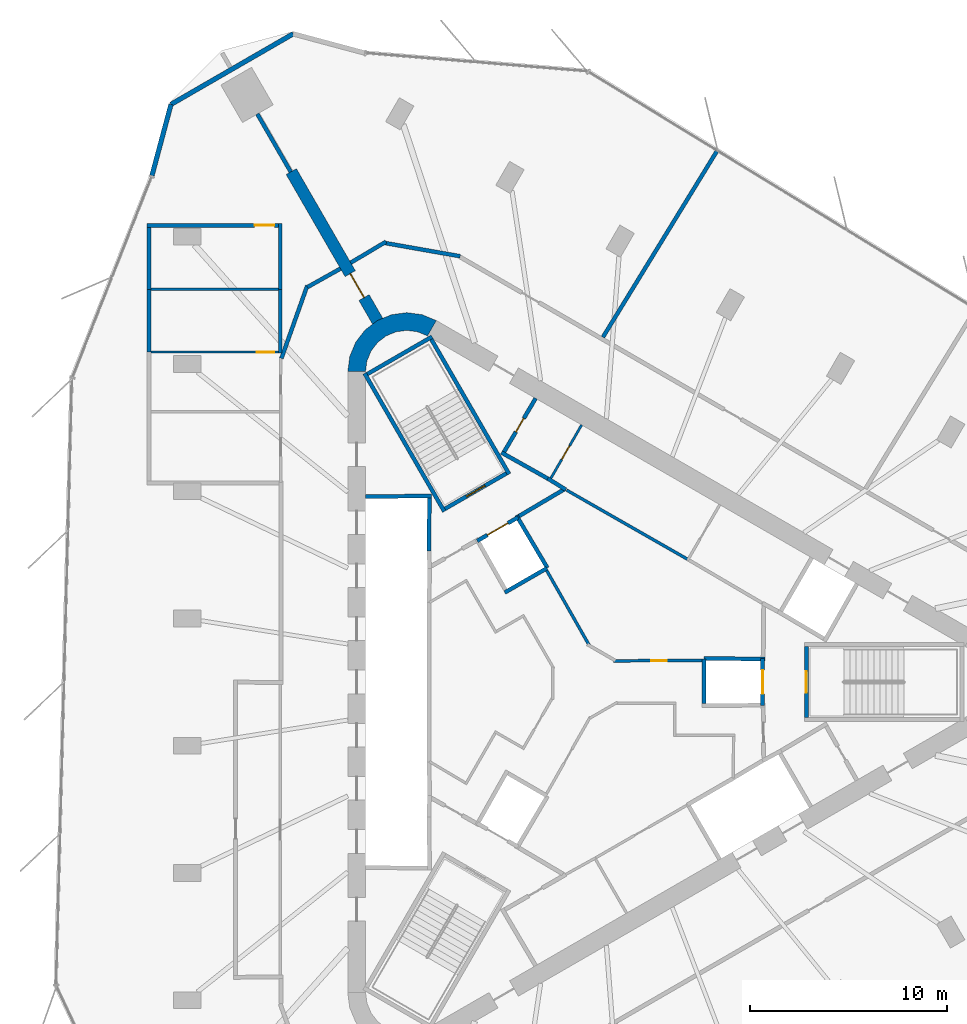
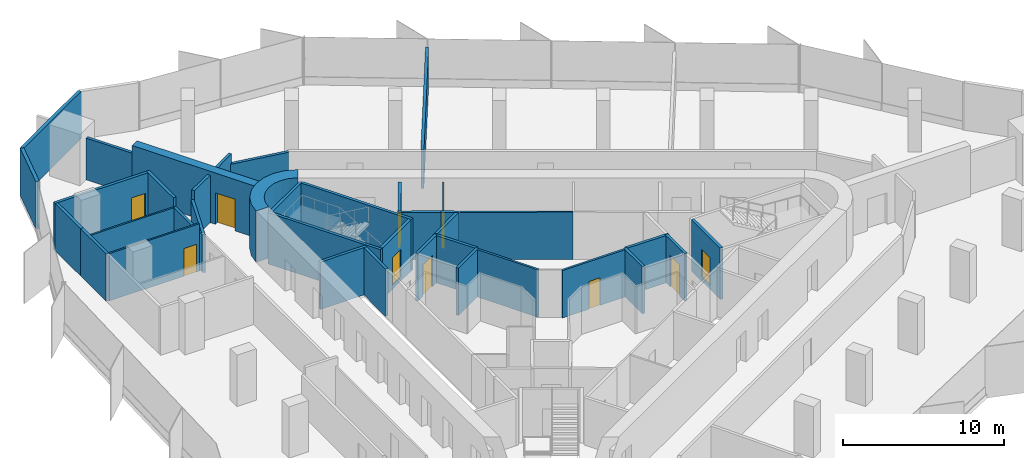
# One storey, part 10 of 13: 38 walls, 10 doors, 10 openings.
"""IFC4 building model written with IfcOpenShell, lengths in metres."""

from ifc_helpers import new_model, si_unit, direction, frame, frame_2d, origin, place, context, subcontext, project, spatial, polyline, rectangle, outline, extrude, material, layer, layer_set, type_object, element, fill, save


model = new_model("IFC4")

# Units and contexts
model_context = context("Model", 3, precision=1e-05, world=origin(), true_north=direction((0.0, 1.0)))
body_context = subcontext(model_context, "Body", "Model", "MODEL_VIEW")
ifc_project = project(units=[si_unit("LENGTHUNIT", "METRE"), si_unit("AREAUNIT", "SQUARE_METRE"), si_unit("VOLUMEUNIT", "CUBIC_METRE"), si_unit("PLANEANGLEUNIT", "RADIAN"), si_unit("MASSUNIT", "GRAM", prefix="KILO")], contexts=[model_context])

# Site, building, storey
site_placement = place(None, origin())
site = spatial("IfcSite", under=ifc_project, at=site_placement, CompositionType="ELEMENT")
building_placement = place(site_placement, origin())
building = spatial("IfcBuilding", under=site, at=building_placement, Name="Tanit Gate Tower", CompositionType="ELEMENT")
storey_placement = place(building_placement, frame((0.0, 0.0, 329.89990234375)))
storey = spatial("IfcBuildingStorey", under=building, at=storey_placement, Name="L74", CompositionType="ELEMENT", Elevation=329.89990234375)

# Wall, opening, door
ifc_material_1 = material(Name="Concrete C40/50", Category="concrete")
ifc_layer_1 = layer(ifc_material_1, 0.60009765625)
ifc_layer_set_1 = layer_set([ifc_layer_1], Name="BUTTRESS FIN 600 C40/50")
wall_type_1 = type_object("IfcWallType", Name="BUTTRESS FIN 600 C40/50", PredefinedType="SHEAR", material=ifc_layer_set_1)
wall_1_placement = place(storey_placement, frame((-10.574951171875, 18.31640625, 0.0), z_axis=(0.0, 0.0, 1.0), x_axis=(-0.499987805019, 0.866032444446, 0.0)))
wall_1 = element("IfcWall", 1, at=wall_1_placement, inside=storey, type_object=wall_type_1, Name="BUTTRESS FIN", PredefinedType="SHEAR", context=body_context, shape_type="SweptSolid", body=[
    extrude(rectangle(XDim=8.787353515625, YDim=0.60009765625, at=frame_2d((4.3935546875, 0.0))), origin(), (0.0, 0.0, 1.0), 3.900146484375),
])
opening_1_placement = place(wall_1_placement, frame((1.39990234375, 0.0, 0.0)))
opening_1 = element("IfcOpeningElement", 2, at=opening_1_placement, cuts=wall_1, Name="Opening P14-S20-F-NW-1", PredefinedType="OPENING", context=body_context, shape_type="SweptSolid", body=[
    extrude(rectangle(XDim=1.39990234375, YDim=2.39990234375, at=frame_2d((0.699951171875, 1.199951171875))), frame((0.0, 0.31005859375, 0.0), z_axis=(0.0, -1.0, 0.0), x_axis=(1.0, 0.0, 0.0)), (0.0, 0.0, 1.0), 0.6201171875),
])
ifc_material_2 = material(Name="Timber door leaf", Category="wood")
door_type_1 = type_object("IfcDoorType", Name="INT-DOOR-FIN-PAIR-1400", OperationType="NOTDEFINED", PredefinedType="NOTDEFINED", material=ifc_material_2)
door_1_placement = place(opening_1_placement, origin())
door_1 = element("IfcDoor", 3, at=door_1_placement, inside=storey, type_object=door_type_1, Name="Door P14-S20-F-NW-1", OperationType="DOUBLE_DOOR_SINGLE_SWING", OverallHeight=2.39990234375, OverallWidth=1.39990234375, PredefinedType="NOTDEFINED", context=body_context, shape_type="SweptSolid", body=[
    extrude(rectangle(XDim=1.39990234375, YDim=2.39990234375, at=frame_2d((0.699951171875, 1.199951171875))), frame((0.0, 0.02490234375, 0.0), z_axis=(0.0, -1.0, 0.0), x_axis=(1.0, 0.0, 0.0)), (0.0, 0.0, 1.0), 0.050048828125),
])
fill(opening_1, door_1)

# Walls
ifc_material_3 = material(Name="Concrete C40/50", Category="concrete")
ifc_layer_2 = layer(ifc_material_3, 0.89990234375)
ifc_layer_set_2 = layer_set([ifc_layer_2], Name="CORE WALL 900 C40/50")
wall_type_2 = type_object("IfcWallType", Name="CORE WALL 900 C40/50", PredefinedType="SHEAR", material=ifc_layer_set_2)
wall_2_placement = place(storey_placement, origin())
element("IfcWall", 4, at=wall_2_placement, inside=storey, type_object=wall_type_2, Name="CORE WALL CORNER", PredefinedType="SHEAR", context=body_context, shape_type="SweptSolid", body=[
    extrude(outline(polyline([(-7.60009765625, 18.359619140625), (-8.323486328125, 18.659423828125), (-9.10009765625, 18.76171875), (-9.87646484375, 18.659423828125), (-10.60009765625, 18.359619140625), (-11.22119140625, 17.883056640625), (-11.697998046875, 17.26171875), (-11.997802734375, 16.5380859375), (-12.10009765625, 15.76171875), (-11.199951171875, 15.76171875), (-11.12841796875, 16.30517578125), (-10.918701171875, 16.811767578125), (-10.5849609375, 17.24658203125), (-10.14990234375, 17.580322265625), (-9.6435546875, 17.7900390625), (-9.10009765625, 17.86181640625), (-8.556396484375, 17.7900390625), (-8.050048828125, 17.580322265625), (-7.60009765625, 18.359619140625)])), origin(), (0.0, 0.0, 1.0), 3.900146484375),
])
ifc_material_4 = material(Name="Concrete C30/37 with bronze anodised aluminium cladding", Category="concrete")
ifc_layer_3 = layer(ifc_material_4, 0.239990234375)
ifc_layer_set_3 = layer_set([ifc_layer_3], Name="Facade wall bronze clad 240")
wall_type_3 = type_object("IfcWallType", Name="Facade wall bronze clad 240", PredefinedType="SOLIDWALL", material=ifc_layer_set_3)
wall_3_placement = place(storey_placement, frame((-14.871337890625, 32.926025390625, 0.0), z_axis=(0.0, 0.0, 1.0), x_axis=(-0.866029611329, -0.499992712247, 0.0)))
element("IfcWall", 5, at=wall_3_placement, inside=storey, type_object=wall_type_3, Name="Bronze-clad facade wall L74 NW.arc2", PredefinedType="SOLIDWALL", context=body_context, shape_type="SweptSolid", body=[
    extrude(rectangle(XDim=7.16796875, YDim=0.239990234375, at=frame_2d((3.583984375, 0.0))), origin(), (0.0, 0.0, 1.0), 3.60009765625),
])
wall_4_placement = place(storey_placement, frame((-21.0791015625, 29.342041015625, 0.0), z_axis=(0.0, 0.0, 1.0), x_axis=(-0.258833727946, -0.965921891913, 0.0)))
element("IfcWall", 6, at=wall_4_placement, inside=storey, type_object=wall_type_3, Name="Bronze-clad facade wall L74 NW.arc3", PredefinedType="SOLIDWALL", context=body_context, shape_type="SweptSolid", body=[
    extrude(rectangle(XDim=3.749267578125, YDim=0.239990234375, at=frame_2d((1.87451171875, 0.0))), origin(), (0.0, 0.0, 1.0), 3.60009765625),
])
ifc_material_5 = material(Name="Fire-rated gypsum board partition")
ifc_layer_4 = layer(ifc_material_5, 0.199951171875)
ifc_layer_set_4 = layer_set([ifc_layer_4], Name="INT-WALL-COMPARTMENT")
wall_type_4 = type_object("IfcWallType", Name="INT-WALL-COMPARTMENT", PredefinedType="PARTITIONING", material=ifc_layer_set_4)
wall_5_placement = place(storey_placement, frame((-1.940673828125, 10.338623046875, 0.0), z_axis=(0.0, 0.0, 1.0), x_axis=(0.850216889117, -0.526432561171, 0.0)))
element("IfcWall", 7, at=wall_5_placement, inside=storey, type_object=wall_type_4, Name="Wall Compartment W048", PredefinedType="PARTITIONING", context=body_context, shape_type="SweptSolid", body=[
    extrude(rectangle(XDim=1.078369140625, YDim=0.199951171875, at=frame_2d((0.5390625, 0.0))), origin(), (0.0, 0.0, 1.0), 3.60009765625),
])
wall_6_placement = place(storey_placement, frame((-4.296142578125, 11.658935546875, 0.0), z_axis=(0.0, 0.0, 1.0), x_axis=(0.871534483978, -0.490334215854, 0.0)))
element("IfcWall", 8, at=wall_6_placement, inside=storey, type_object=wall_type_4, Name="Wall Compartment W050", PredefinedType="PARTITIONING", context=body_context, shape_type="SweptSolid", body=[
    extrude(rectangle(XDim=2.7001953125, YDim=0.199951171875, at=frame_2d((1.35009765625, 0.0))), origin(), (0.0, 0.0, 1.0), 3.60009765625),
])

# Wall, opening, door
wall_7_placement = place(storey_placement, frame((-2.557861328125, 14.409423828125, 0.0), z_axis=(0.0, 0.0, 1.0), x_axis=(-0.508018930956, -0.861345903683, 0.0)))
wall_7 = element("IfcWall", 9, at=wall_7_placement, inside=storey, type_object=wall_type_4, Name="Wall Compartment W051", PredefinedType="PARTITIONING", context=body_context, shape_type="SweptSolid", body=[
    extrude(rectangle(XDim=3.150146484375, YDim=0.199951171875, at=frame_2d((1.5751953125, 0.0))), origin(), (0.0, 0.0, 1.0), 3.60009765625),
])
opening_2_placement = place(wall_7_placement, frame((1.175048828125, 0.0, 0.0)))
opening_2 = element("IfcOpeningElement", 10, at=opening_2_placement, cuts=wall_7, Name="Opening R08-S20-14", PredefinedType="OPENING", context=body_context, shape_type="SweptSolid", body=[
    extrude(rectangle(XDim=0.800048828125, YDim=2.10009765625, at=frame_2d((0.39990234375, 1.050048828125))), frame((0.0, 0.10986328125, 0.0), z_axis=(0.0, -1.0, 0.0), x_axis=(1.0, 0.0, 0.0)), (0.0, 0.0, 1.0), 0.219970703125),
])
ifc_material_6 = material(Name="Timber door leaf", Category="wood")
door_type_2 = type_object("IfcDoorType", Name="INT-DOOR-RISER-800", OperationType="NOTDEFINED", PredefinedType="USERDEFINED", material=ifc_material_6)
door_2_placement = place(opening_2_placement, origin())
door_2 = element("IfcDoor", 11, at=door_2_placement, inside=storey, type_object=door_type_2, Name="Door R08-S20-14", ObjectType="FIRE DOOR", OperationType="SINGLE_SWING_RIGHT", OverallHeight=2.10009765625, OverallWidth=0.800048828125, PredefinedType="USERDEFINED", context=body_context, shape_type="SweptSolid", body=[
    extrude(rectangle(XDim=0.800048828125, YDim=2.10009765625, at=frame_2d((0.39990234375, 1.050048828125))), frame((0.0, 0.02490234375, 0.0), z_axis=(0.0, -1.0, 0.0), x_axis=(1.0, 0.0, 0.0)), (0.0, 0.0, 1.0), 0.050048828125),
])
fill(opening_2, door_2)

# Walls
wall_8_placement = place(storey_placement, frame((-1.0546875, 9.818359375, 0.0), z_axis=(0.0, 0.0, 1.0), x_axis=(-0.860614334655, -0.50925726994, 0.0)))
element("IfcWall", 12, at=wall_8_placement, inside=storey, type_object=wall_type_4, Name="Wall Compartment W061", PredefinedType="PARTITIONING", context=body_context, shape_type="SweptSolid", body=[
    extrude(rectangle(XDim=2.725830078125, YDim=0.199951171875, at=frame_2d((1.36279296875, 0.0))), origin(), (0.0, 0.0, 1.0), 3.60009765625),
])
wall_9_placement = place(storey_placement, frame((-14.153564453125, 20.14208984375, 0.0), z_axis=(0.0, 0.0, 1.0), x_axis=(-0.335013345564, -0.94221338257, 0.0)))
element("IfcWall", 13, at=wall_9_placement, inside=storey, type_object=wall_type_4, Name="Wall Compartment W091", PredefinedType="PARTITIONING", context=body_context, shape_type="SweptSolid", body=[
    extrude(rectangle(XDim=3.9287109375, YDim=0.199951171875, at=frame_2d((1.96435546875, 0.0))), origin(), (0.0, 0.0, 1.0), 2.880126953125),
])
wall_10_placement = place(storey_placement, frame((-12.469970703125, 20.99853515625, 0.0), z_axis=(0.0, 0.0, 1.0), x_axis=(-0.87250601595, -0.488603368932, 0.0)))
element("IfcWall", 14, at=wall_10_placement, inside=storey, type_object=wall_type_4, Name="Wall Compartment W092", PredefinedType="PARTITIONING", context=body_context, shape_type="SweptSolid", body=[
    extrude(rectangle(XDim=1.923828125, YDim=0.199951171875, at=frame_2d((0.9619140625, 0.0))), origin(), (0.0, 0.0, 1.0), 3.60009765625),
])
wall_11_placement = place(storey_placement, frame((-10.154541015625, 22.3671875, 0.0), z_axis=(0.0, 0.0, 1.0), x_axis=(-0.859343009577, -0.511399640097, 0.0)))
element("IfcWall", 15, at=wall_11_placement, inside=storey, type_object=wall_type_4, Name="Wall Compartment W095", PredefinedType="PARTITIONING", context=body_context, shape_type="SweptSolid", body=[
    extrude(rectangle(XDim=2.089599609375, YDim=0.199951171875, at=frame_2d((1.044921875, 0.0))), origin(), (0.0, 0.0, 1.0), 3.60009765625),
])
wall_12_placement = place(storey_placement, frame((-6.389404296875, 21.626220703125, 0.0), z_axis=(0.0, 0.0, 1.0), x_axis=(-0.984802578286, 0.173677522442, 0.0)))
element("IfcWall", 16, at=wall_12_placement, inside=storey, type_object=wall_type_4, Name="Wall Compartment W096", PredefinedType="PARTITIONING", context=body_context, shape_type="SweptSolid", body=[
    extrude(rectangle(XDim=3.87548828125, YDim=0.199951171875, at=frame_2d((1.937744140625, 0.0))), origin(), (0.0, 0.0, 1.0), 2.880126953125),
])
wall_13_placement = place(storey_placement, frame((-14.99462890625, 25.911376953125, 0.0), z_axis=(0.0, 0.0, 1.0), x_axis=(-0.500010627009, 0.866019268191, 0.0)))
element("IfcWall", 17, at=wall_13_placement, inside=storey, type_object=wall_type_4, Name="Wall Compartment W109", PredefinedType="PARTITIONING", context=body_context, shape_type="SweptSolid", body=[
    extrude(rectangle(XDim=3.39794921875, YDim=0.199951171875, at=frame_2d((1.698974609375, 0.0))), origin(), (0.0, 0.0, 1.0), 3.170166015625),
])
wall_14_placement = place(storey_placement, frame((-22.199951171875, 23.090087890625, 0.0), z_axis=(0.0, 0.0, 1.0), x_axis=(0.0, -1.0, 0.0)))
element("IfcWall", 18, at=wall_14_placement, inside=storey, type_object=wall_type_4, Name="Wall Compartment W119", PredefinedType="PARTITIONING", context=body_context, shape_type="SweptSolid", body=[
    extrude(rectangle(XDim=3.139892578125, YDim=0.199951171875, at=frame_2d((1.56982421875, 0.0))), origin(), (0.0, 0.0, 1.0), 3.60009765625),
])
wall_15_placement = place(storey_placement, frame((-22.199951171875, 19.9501953125, 0.0), z_axis=(0.0, 0.0, 1.0), x_axis=(0.0, -1.0, 0.0)))
element("IfcWall", 19, at=wall_15_placement, inside=storey, type_object=wall_type_4, Name="Wall Compartment W115", PredefinedType="PARTITIONING", context=body_context, shape_type="SweptSolid", body=[
    extrude(rectangle(XDim=3.1884765625, YDim=0.199951171875, at=frame_2d((1.59423828125, 0.0))), origin(), (0.0, 0.0, 1.0), 3.60009765625),
])
wall_16_placement = place(storey_placement, frame((-15.530029296875, 16.70166015625, 0.0), z_axis=(0.0, 0.0, 1.0), x_axis=(0.0, 1.0, 0.0)))
element("IfcWall", 20, at=wall_16_placement, inside=storey, type_object=wall_type_4, Name="Wall Compartment W116", PredefinedType="PARTITIONING", context=body_context, shape_type="SweptSolid", body=[
    extrude(rectangle(XDim=3.24853515625, YDim=0.199951171875, at=frame_2d((1.624267578125, 0.0))), origin(), (0.0, 0.0, 1.0), 2.880126953125),
])
wall_17_placement = place(storey_placement, frame((-15.530029296875, 19.9501953125, 0.0), z_axis=(0.0, 0.0, 1.0), x_axis=(0.0, 1.0, 0.0)))
element("IfcWall", 21, at=wall_17_placement, inside=storey, type_object=wall_type_4, Name="Wall Compartment W117", PredefinedType="PARTITIONING", context=body_context, shape_type="SweptSolid", body=[
    extrude(rectangle(XDim=3.33984375, YDim=0.199951171875, at=frame_2d((1.669921875, 0.0))), origin(), (0.0, 0.0, 1.0), 3.60009765625),
])

# Wall, opening, door
wall_18_placement = place(storey_placement, frame((-15.6298828125, 23.18994140625, 0.0), z_axis=(0.0, 0.0, 1.0), x_axis=(-1.0, 0.0, 0.0)))
wall_18 = element("IfcWall", 22, at=wall_18_placement, inside=storey, type_object=wall_type_4, Name="Wall Compartment W118", PredefinedType="PARTITIONING", context=body_context, shape_type="SweptSolid", body=[
    extrude(rectangle(XDim=6.670166015625, YDim=0.199951171875, at=frame_2d((3.3349609375, 0.0))), origin(), (0.0, 0.0, 1.0), 3.60009765625),
])
opening_3_placement = place(wall_18_placement, frame((0.199951171875, 0.0, 0.0)))
opening_3 = element("IfcOpeningElement", 23, at=opening_3_placement, cuts=wall_18, Name="Opening F10-S20-22", PredefinedType="OPENING", context=body_context, shape_type="SweptSolid", body=[
    extrude(rectangle(XDim=1.0, YDim=2.10009765625, at=frame_2d((0.5, 1.050048828125))), frame((0.0, 0.10986328125, 0.0), z_axis=(0.0, -1.0, 0.0), x_axis=(1.0, 0.0, 0.0)), (0.0, 0.0, 1.0), 0.219970703125),
])
ifc_material_7 = material(Name="Fire-rated steel door leaf", Category="steel")
door_type_3 = type_object("IfcDoorType", Name="INT-DOOR-FIRE-1000", OperationType="NOTDEFINED", PredefinedType="USERDEFINED", material=ifc_material_7)
door_3_placement = place(opening_3_placement, origin())
door_3 = element("IfcDoor", 24, at=door_3_placement, inside=storey, type_object=door_type_3, Name="Door F10-S20-22", ObjectType="FIRE DOOR", OperationType="SINGLE_SWING_LEFT", OverallHeight=2.10009765625, OverallWidth=1.0, PredefinedType="USERDEFINED", context=body_context, shape_type="SweptSolid", body=[
    extrude(rectangle(XDim=1.0, YDim=2.10009765625, at=frame_2d((0.5, 1.050048828125))), frame((0.0, 0.02490234375, 0.0), z_axis=(0.0, -1.0, 0.0), x_axis=(1.0, 0.0, 0.0)), (0.0, 0.0, 1.0), 0.050048828125),
])
fill(opening_3, door_3)

# Wall
wall_19_placement = place(storey_placement, frame((0.859619140625, 17.51708984375, 0.0), z_axis=(0.0, 0.0, 1.0), x_axis=(0.5223859344, 0.852709174069, 0.0)))
element("IfcWall", 25, at=wall_19_placement, inside=storey, type_object=wall_type_4, Name="Wall Compartment W120", PredefinedType="PARTITIONING", context=body_context, shape_type="SweptSolid", body=[
    extrude(rectangle(XDim=11.117431640625, YDim=0.199951171875, at=frame_2d((5.55859375, 0.0))), origin(), (0.0, 0.0, 1.0), 2.97021484375),
])

# Wall, opening, door
ifc_material_8 = material(Name="Gypsum board partition")
ifc_layer_5 = layer(ifc_material_8, 0.1201171875)
ifc_layer_set_5 = layer_set([ifc_layer_5], Name="INT-WALL-PARTITION")
wall_type_5 = type_object("IfcWallType", Name="INT-WALL-PARTITION", PredefinedType="PARTITIONING", material=ifc_layer_set_5)
wall_20_placement = place(storey_placement, frame((-0.2197265625, 13.0595703125, 0.0), z_axis=(0.0, 0.0, 1.0), x_axis=(-0.499984717929, -0.866034226713, 0.0)))
wall_20 = element("IfcWall", 26, at=wall_20_placement, inside=storey, type_object=wall_type_5, Name="Wall Partition W047", PredefinedType="PARTITIONING", context=body_context, shape_type="SweptSolid", body=[
    extrude(rectangle(XDim=3.25, YDim=0.1201171875, at=frame_2d((1.625, 0.0))), origin(), (0.0, 0.0, 1.0), 3.60009765625),
])
opening_4_placement = place(wall_20_placement, frame((1.22509765625, 0.0, 0.0)))
opening_4 = element("IfcOpeningElement", 27, at=opening_4_placement, cuts=wall_20, Name="Opening R08-S20-29", PredefinedType="OPENING", context=body_context, shape_type="SweptSolid", body=[
    extrude(rectangle(XDim=0.800048828125, YDim=2.10009765625, at=frame_2d((0.39990234375, 1.050048828125))), frame((0.0, 0.070068359375, 0.0), z_axis=(0.0, -1.0, 0.0), x_axis=(1.0, 0.0, 0.0)), (0.0, 0.0, 1.0), 0.14013671875),
])
door_4_placement = place(opening_4_placement, origin())
door_4 = element("IfcDoor", 28, at=door_4_placement, inside=storey, type_object=door_type_2, Name="Door R08-S20-29", ObjectType="FIRE DOOR", OperationType="SINGLE_SWING_LEFT", OverallHeight=2.10009765625, OverallWidth=0.800048828125, PredefinedType="USERDEFINED", context=body_context, shape_type="SweptSolid", body=[
    extrude(rectangle(XDim=0.800048828125, YDim=2.10009765625, at=frame_2d((0.39990234375, 1.050048828125))), frame((0.0, 0.02490234375, 0.0), z_axis=(0.0, -1.0, 0.0), x_axis=(1.0, 0.0, 0.0)), (0.0, 0.0, 1.0), 0.050048828125),
])
fill(opening_4, door_4)

wall_21_placement = place(storey_placement, frame((-22.10009765625, 16.76171875, 0.0), z_axis=(0.0, 0.0, 1.0), x_axis=(1.0, 0.0, 0.0)))
wall_21 = element("IfcWall", 29, at=wall_21_placement, inside=storey, type_object=wall_type_5, Name="Wall Partition W126", PredefinedType="PARTITIONING", context=body_context, shape_type="SweptSolid", body=[
    extrude(rectangle(XDim=6.47021484375, YDim=0.1201171875, at=frame_2d((3.235107421875, 0.0))), origin(), (0.0, 0.0, 1.0), 3.60009765625),
])
opening_5_placement = place(wall_21_placement, frame((5.3701171875, 0.0, 0.0)))
opening_5 = element("IfcOpeningElement", 30, at=opening_5_placement, cuts=wall_21, Name="Opening D09-S20-21", PredefinedType="OPENING", context=body_context, shape_type="SweptSolid", body=[
    extrude(rectangle(XDim=0.89990234375, YDim=2.10009765625, at=frame_2d((0.449951171875, 1.050048828125))), frame((0.0, 0.070068359375, 0.0), z_axis=(0.0, -1.0, 0.0), x_axis=(1.0, 0.0, 0.0)), (0.0, 0.0, 1.0), 0.14013671875),
])
ifc_material_9 = material(Name="Timber door leaf", Category="wood")
door_type_4 = type_object("IfcDoorType", Name="INT-DOOR-SINGLE-900", OperationType="NOTDEFINED", PredefinedType="NOTDEFINED", material=ifc_material_9)
door_5_placement = place(opening_5_placement, origin())
door_5 = element("IfcDoor", 31, at=door_5_placement, inside=storey, type_object=door_type_4, Name="Door D09-S20-21", OperationType="SINGLE_SWING_LEFT", OverallHeight=2.10009765625, OverallWidth=0.89990234375, PredefinedType="NOTDEFINED", context=body_context, shape_type="SweptSolid", body=[
    extrude(rectangle(XDim=0.89990234375, YDim=2.10009765625, at=frame_2d((0.449951171875, 1.050048828125))), frame((0.0, 0.02490234375, 0.0), z_axis=(0.0, -1.0, 0.0), x_axis=(1.0, 0.0, 0.0)), (0.0, 0.0, 1.0), 0.050048828125),
])
fill(opening_5, door_5)

# Walls
wall_22_placement = place(storey_placement, frame((-22.10009765625, 19.9501953125, 0.0), z_axis=(0.0, 0.0, 1.0), x_axis=(1.0, 0.0, 0.0)))
element("IfcWall", 32, at=wall_22_placement, inside=storey, type_object=wall_type_5, Name="Wall Partition W127", PredefinedType="PARTITIONING", context=body_context, shape_type="SweptSolid", body=[
    extrude(rectangle(XDim=6.47021484375, YDim=0.1201171875, at=frame_2d((3.235107421875, 0.0))), origin(), (0.0, 0.0, 1.0), 2.880126953125),
])
ifc_material_10 = material(Name="Fire-rated gypsum board partition")
ifc_layer_6 = layer(ifc_material_10, 0.14990234375)
ifc_layer_set_6 = layer_set([ifc_layer_6], Name="INT-WALL-RISER")
wall_type_6 = type_object("IfcWallType", Name="INT-WALL-RISER", PredefinedType="PLUMBINGWALL", material=ifc_layer_set_6)
wall_23_placement = place(storey_placement, frame((5.1591796875, 6.23583984375, 0.0), z_axis=(0.0, 0.0, 1.0), x_axis=(-0.868105023632, 0.496380567654, 0.0)))
element("IfcWall", 33, at=wall_23_placement, inside=storey, type_object=wall_type_6, Name="Wall Riser W049", PredefinedType="PLUMBINGWALL", context=body_context, shape_type="SweptSolid", body=[
    extrude(rectangle(XDim=7.072265625, YDim=0.14990234375, at=frame_2d((3.5361328125, 0.0))), origin(), (0.0, 0.0, 1.0), 3.60009765625),
])

# Wall, opening, door
wall_24_placement = place(storey_placement, frame((1.3876953125, 1.07421875, 0.0), z_axis=(0.0, 0.0, 1.0), x_axis=(0.99997856967, 0.006546770205, 0.0)))
wall_24 = element("IfcWall", 34, at=wall_24_placement, inside=storey, type_object=wall_type_6, Name="Wall Riser W065", PredefinedType="PLUMBINGWALL", context=body_context, shape_type="SweptSolid", body=[
    extrude(rectangle(XDim=4.51220703125, YDim=0.14990234375, at=frame_2d((2.256103515625, 0.0))), origin(), (0.0, 0.0, 1.0), 3.60009765625),
])
opening_6_placement = place(wall_24_placement, frame((1.920166015625, 0.0, 0.0)))
opening_6 = element("IfcOpeningElement", 35, at=opening_6_placement, cuts=wall_24, Name="Opening R08-S20-10", PredefinedType="OPENING", context=body_context, shape_type="SweptSolid", body=[
    extrude(rectangle(XDim=0.800048828125, YDim=2.10009765625, at=frame_2d((0.39990234375, 1.050048828125))), frame((0.0, 0.0849609375, 0.0), z_axis=(0.0, -1.0, 0.0), x_axis=(1.0, 0.0, 0.0)), (0.0, 0.0, 1.0), 0.169921875),
])
door_6_placement = place(opening_6_placement, origin())
door_6 = element("IfcDoor", 36, at=door_6_placement, inside=storey, type_object=door_type_2, Name="Door R08-S20-10", ObjectType="FIRE DOOR", OperationType="SINGLE_SWING_RIGHT", OverallHeight=2.10009765625, OverallWidth=0.800048828125, PredefinedType="USERDEFINED", context=body_context, shape_type="SweptSolid", body=[
    extrude(rectangle(XDim=0.800048828125, YDim=2.10009765625, at=frame_2d((0.39990234375, 1.050048828125))), frame((0.0, 0.02490234375, 0.0), z_axis=(0.0, -1.0, 0.0), x_axis=(1.0, 0.0, 0.0)), (0.0, 0.0, 1.0), 0.050048828125),
])
fill(opening_6, door_6)

# Walls
wall_25_placement = place(storey_placement, frame((-1.994140625, 5.661376953125, 0.0), z_axis=(0.0, 0.0, 1.0), x_axis=(0.494341211302, -0.869267948798, 0.0)))
element("IfcWall", 37, at=wall_25_placement, inside=storey, type_object=wall_type_6, Name="Wall Riser W067", PredefinedType="PLUMBINGWALL", context=body_context, shape_type="SweptSolid", body=[
    extrude(rectangle(XDim=4.36083984375, YDim=0.14990234375, at=frame_2d((2.180419921875, 0.0))), origin(), (0.0, 0.0, 1.0), 3.60009765625),
])
ifc_material_11 = material(Name="Gypsum shaft wall system")
ifc_layer_7 = layer(ifc_material_11, 0.199951171875)
ifc_layer_set_7 = layer_set([ifc_layer_7], Name="INT-WALL-SHAFT")
wall_type_7 = type_object("IfcWallType", Name="INT-WALL-SHAFT", PredefinedType="PLUMBINGWALL", material=ifc_layer_set_7)
wall_26_placement = place(storey_placement, frame((-11.199951171875, 9.419921875, 0.0), z_axis=(0.0, 0.0, 1.0), x_axis=(0.999957167047, 0.009255488683, 0.0)))
element("IfcWall", 38, at=wall_26_placement, inside=storey, type_object=wall_type_7, Name="Wall Shaft W001", PredefinedType="PLUMBINGWALL", context=body_context, shape_type="SweptSolid", body=[
    extrude(rectangle(XDim=3.35009765625, YDim=0.199951171875, at=frame_2d((1.675048828125, 0.0))), origin(), (0.0, 0.0, 1.0), 3.60009765625),
])
wall_27_placement = place(storey_placement, frame((-7.951171875, 9.35009765625, 0.0), z_axis=(0.0, 0.0, 1.0), x_axis=(-0.011120469654, -0.999938165666, 0.0)))
element("IfcWall", 39, at=wall_27_placement, inside=storey, type_object=wall_type_7, Name="Wall Shaft W002", PredefinedType="PLUMBINGWALL", context=body_context, shape_type="SweptSolid", body=[
    extrude(rectangle(XDim=2.700439453125, YDim=0.199951171875, at=frame_2d((1.35009765625, 0.0))), origin(), (0.0, 0.0, 1.0), 3.60009765625),
])

# Wall, opening, door
wall_28_placement = place(storey_placement, frame((8.969970703125, 1.199951171875, 0.0), z_axis=(0.0, 0.0, 1.0), x_axis=(0.0, -1.0, 0.0)))
wall_28 = element("IfcWall", 40, at=wall_28_placement, inside=storey, type_object=wall_type_7, Name="Wall Shaft W024", PredefinedType="PLUMBINGWALL", context=body_context, shape_type="SweptSolid", body=[
    extrude(rectangle(XDim=2.39990234375, YDim=0.199951171875, at=frame_2d((1.199951171875, 0.0))), origin(), (0.0, 0.0, 1.0), 3.60009765625),
])
opening_7_placement = place(wall_28_placement, frame((0.60009765625, 0.0, 0.0)))
opening_7 = element("IfcOpeningElement", 41, at=opening_7_placement, cuts=wall_28, Name="Opening LDFL1-L74", PredefinedType="OPENING", context=body_context, shape_type="SweptSolid", body=[
    extrude(rectangle(XDim=1.199951171875, YDim=2.39990234375, at=frame_2d((0.60009765625, 1.199951171875))), frame((0.0, 0.10986328125, 0.0), z_axis=(0.0, -1.0, 0.0), x_axis=(1.0, 0.0, 0.0)), (0.0, 0.0, 1.0), 0.219970703125),
])
ifc_material_12 = material(Name="Stainless steel sliding door leaf", Category="steel")
door_type_5 = type_object("IfcDoorType", Name="INT-DOOR-LANDING-1200", OperationType="NOTDEFINED", PredefinedType="USERDEFINED", material=ifc_material_12)
door_7_placement = place(opening_7_placement, origin())
door_7 = element("IfcDoor", 42, at=door_7_placement, inside=storey, type_object=door_type_5, Name="Door LDFL1-L74", ObjectType="LANDING DOOR", OperationType="SLIDING_TO_LEFT", OverallHeight=2.39990234375, OverallWidth=1.199951171875, PredefinedType="USERDEFINED", context=body_context, shape_type="SweptSolid", body=[
    extrude(rectangle(XDim=1.199951171875, YDim=2.39990234375, at=frame_2d((0.60009765625, 1.199951171875))), frame((0.0, 0.02490234375, 0.0), z_axis=(0.0, -1.0, 0.0), x_axis=(1.0, 0.0, 0.0)), (0.0, 0.0, 1.0), 0.050048828125),
])
fill(opening_7, door_7)

# Walls
wall_29_placement = place(storey_placement, frame((6.0, 1.199951171875, 0.0), z_axis=(0.0, 0.0, 1.0), x_axis=(0.999949988, -0.010001074852, 0.0)))
element("IfcWall", 43, at=wall_29_placement, inside=storey, type_object=wall_type_7, Name="Wall Shaft W025", PredefinedType="PLUMBINGWALL", context=body_context, shape_type="SweptSolid", body=[
    extrude(rectangle(XDim=3.100341796875, YDim=0.199951171875, at=frame_2d((1.55029296875, 0.0))), origin(), (0.0, 0.0, 1.0), 3.60009765625),
])
wall_30_placement = place(storey_placement, frame((6.0, -1.10009765625, 0.0), z_axis=(0.0, 0.0, 1.0), x_axis=(0.0, 1.0, 0.0)))
element("IfcWall", 44, at=wall_30_placement, inside=storey, type_object=wall_type_7, Name="Wall Shaft W027", PredefinedType="PLUMBINGWALL", context=body_context, shape_type="SweptSolid", body=[
    extrude(rectangle(XDim=2.279541015625, YDim=0.199951171875, at=frame_2d((1.1396484375, 0.0))), origin(), (0.0, 0.0, 1.0), 3.60009765625),
])

# Wall, opening, door
wall_31_placement = place(storey_placement, frame((-5.524169921875, 7.168212890625, 0.0), z_axis=(0.0, 0.0, 1.0), x_axis=(0.866024647952, 0.500001309137, 0.0)))
wall_31 = element("IfcWall", 45, at=wall_31_placement, inside=storey, type_object=wall_type_7, Name="Wall Shaft W032", PredefinedType="PLUMBINGWALL", context=body_context, shape_type="SweptSolid", body=[
    extrude(rectangle(XDim=2.39990234375, YDim=0.199951171875, at=frame_2d((1.199951171875, 0.0))), origin(), (0.0, 0.0, 1.0), 3.60009765625),
])
opening_8_placement = place(wall_31_placement, frame((0.60009765625, 0.0, 0.0)))
opening_8 = element("IfcOpeningElement", 46, at=opening_8_placement, cuts=wall_31, Name="Opening LDFL2-L74", PredefinedType="OPENING", context=body_context, shape_type="SweptSolid", body=[
    extrude(rectangle(XDim=1.199951171875, YDim=2.39990234375, at=frame_2d((0.60009765625, 1.199951171875))), frame((0.0, 0.10986328125, 0.0), z_axis=(0.0, -1.0, 0.0), x_axis=(1.0, 0.0, 0.0)), (0.0, 0.0, 1.0), 0.219970703125),
])
door_8_placement = place(opening_8_placement, origin())
door_8 = element("IfcDoor", 47, at=door_8_placement, inside=storey, type_object=door_type_5, Name="Door LDFL2-L74", ObjectType="LANDING DOOR", OperationType="SLIDING_TO_LEFT", OverallHeight=2.39990234375, OverallWidth=1.199951171875, PredefinedType="USERDEFINED", context=body_context, shape_type="SweptSolid", body=[
    extrude(rectangle(XDim=1.199951171875, YDim=2.39990234375, at=frame_2d((0.60009765625, 1.199951171875))), frame((0.0, 0.02490234375, 0.0), z_axis=(0.0, -1.0, 0.0), x_axis=(1.0, 0.0, 0.0)), (0.0, 0.0, 1.0), 0.050048828125),
])
fill(opening_8, door_8)

# Walls
wall_32_placement = place(storey_placement, frame((-3.53759765625, 8.46533203125, 0.0), z_axis=(0.0, 0.0, 1.0), x_axis=(0.508647062354, -0.860975125052, 0.0)))
element("IfcWall", 48, at=wall_32_placement, inside=storey, type_object=wall_type_7, Name="Wall Shaft W033", PredefinedType="PLUMBINGWALL", context=body_context, shape_type="SweptSolid", body=[
    extrude(rectangle(XDim=3.10009765625, YDim=0.199951171875, at=frame_2d((1.550048828125, 0.0))), origin(), (0.0, 0.0, 1.0), 3.60009765625),
])
wall_33_placement = place(storey_placement, frame((-1.978515625, 5.785888671875, 0.0), z_axis=(0.0, 0.0, 1.0), x_axis=(-0.866016689309, -0.500015093611, 0.0)))
element("IfcWall", 49, at=wall_33_placement, inside=storey, type_object=wall_type_7, Name="Wall Shaft W034", PredefinedType="PLUMBINGWALL", context=body_context, shape_type="SweptSolid", body=[
    extrude(rectangle(XDim=2.4794921875, YDim=0.199951171875, at=frame_2d((1.23974609375, 0.0))), origin(), (0.0, 0.0, 1.0), 3.60009765625),
])

# Wall, opening, door
ifc_material_13 = material(Name="Concrete C40/50", Category="concrete")
ifc_layer_8 = layer(ifc_material_13, 0.199951171875)
ifc_layer_set_8 = layer_set([ifc_layer_8], Name="INT-WALL-STAIR")
wall_type_8 = type_object("IfcWallType", Name="INT-WALL-STAIR", PredefinedType="SHEAR", material=ifc_layer_set_8)
wall_34_placement = place(storey_placement, frame((11.199951171875, -1.800048828125, -0.2998046875), z_axis=(0.0, 0.0, 1.0), x_axis=(0.0, 1.0, 0.0)))
wall_34 = element("IfcWall", 50, at=wall_34_placement, inside=storey, type_object=wall_type_8, Name="Wall Stair W023", PredefinedType="SHEAR", context=body_context, shape_type="SweptSolid", body=[
    extrude(rectangle(XDim=3.60009765625, YDim=0.199951171875, at=frame_2d((1.800048828125, 0.0))), origin(), (0.0, 0.0, 1.0), 3.89990234375),
])
opening_9_placement = place(wall_34_placement, frame((1.25, 0.0, 0.300048828125)))
opening_9 = element("IfcOpeningElement", 51, at=opening_9_placement, cuts=wall_34, Name="Opening S11-S20-01", PredefinedType="OPENING", context=body_context, shape_type="SweptSolid", body=[
    extrude(rectangle(XDim=1.10009765625, YDim=2.10009765625, at=frame_2d((0.550048828125, 1.050048828125))), frame((0.0, 0.10986328125, 0.0), z_axis=(0.0, -1.0, 0.0), x_axis=(1.0, 0.0, 0.0)), (0.0, 0.0, 1.0), 0.219970703125),
])
ifc_material_14 = material(Name="Timber door leaf", Category="wood")
door_type_6 = type_object("IfcDoorType", Name="INT-DOOR-STAIR-1100", OperationType="NOTDEFINED", PredefinedType="USERDEFINED", material=ifc_material_14)
door_9_placement = place(opening_9_placement, origin())
door_9 = element("IfcDoor", 52, at=door_9_placement, inside=storey, type_object=door_type_6, Name="Door S11-S20-01", ObjectType="FIRE DOOR", OperationType="SINGLE_SWING_LEFT", OverallHeight=2.10009765625, OverallWidth=1.10009765625, PredefinedType="USERDEFINED", context=body_context, shape_type="SweptSolid", body=[
    extrude(rectangle(XDim=1.10009765625, YDim=2.10009765625, at=frame_2d((0.550048828125, 1.050048828125))), frame((0.0, 0.02490234375, 0.0), z_axis=(0.0, -1.0, 0.0), x_axis=(1.0, 0.0, 0.0)), (0.0, 0.0, 1.0), 0.050048828125),
])
fill(opening_9, door_9)

# Walls
wall_35_placement = place(storey_placement, frame((-11.245361328125, 15.677734375, -0.2998046875), z_axis=(0.0, 0.0, 1.0), x_axis=(0.499977274689, -0.866038523851, 0.0)))
element("IfcWall", 53, at=wall_35_placement, inside=storey, type_object=wall_type_8, Name="Wall Stair W028", PredefinedType="SHEAR", context=body_context, shape_type="SweptSolid", body=[
    extrude(rectangle(XDim=8.10009765625, YDim=0.199951171875, at=frame_2d((4.050048828125, 0.0))), origin(), (0.0, 0.0, 1.0), 3.89990234375),
])
wall_36_placement = place(storey_placement, frame((-7.81787109375, 17.541015625, -0.2998046875), z_axis=(0.0, 0.0, 1.0), x_axis=(-0.866044365799, -0.499967155389, 0.0)))
element("IfcWall", 54, at=wall_36_placement, inside=storey, type_object=wall_type_8, Name="Wall Stair W029", PredefinedType="SHEAR", context=body_context, shape_type="SweptSolid", body=[
    extrude(rectangle(XDim=3.800048828125, YDim=0.199951171875, at=frame_2d((1.89990234375, 0.0))), origin(), (0.0, 0.0, 1.0), 3.89990234375),
])
wall_37_placement = place(storey_placement, frame((-7.8544921875, 17.404541015625, -0.2998046875), z_axis=(0.0, 0.0, 1.0), x_axis=(0.499997992926, -0.866026562566, 0.0)))
element("IfcWall", 55, at=wall_37_placement, inside=storey, type_object=wall_type_8, Name="Wall Stair W030", PredefinedType="SHEAR", context=body_context, shape_type="SweptSolid", body=[
    extrude(rectangle(XDim=7.89990234375, YDim=0.199951171875, at=frame_2d((3.949951171875, 0.0))), origin(), (0.0, 0.0, 1.0), 3.89990234375),
])

# Wall, opening, door
wall_38_placement = place(storey_placement, frame((-7.158935546875, 8.799560546875, -0.2998046875), z_axis=(0.0, 0.0, 1.0), x_axis=(0.866047807691, 0.499961193289, 0.0)))
wall_38 = element("IfcWall", 56, at=wall_38_placement, inside=storey, type_object=wall_type_8, Name="Wall Stair W031", PredefinedType="SHEAR", context=body_context, shape_type="SweptSolid", body=[
    extrude(rectangle(XDim=3.599853515625, YDim=0.199951171875, at=frame_2d((1.7998046875, 0.0))), origin(), (0.0, 0.0, 1.0), 3.89990234375),
])
opening_10_placement = place(wall_38_placement, frame((1.25, 0.0, 0.300048828125)))
opening_10 = element("IfcOpeningElement", 57, at=opening_10_placement, cuts=wall_38, Name="Opening S11-S20-04", PredefinedType="OPENING", context=body_context, shape_type="SweptSolid", body=[
    extrude(rectangle(XDim=1.10009765625, YDim=2.10009765625, at=frame_2d((0.550048828125, 1.050048828125))), frame((0.0, 0.10986328125, 0.0), z_axis=(0.0, -1.0, 0.0), x_axis=(1.0, 0.0, 0.0)), (0.0, 0.0, 1.0), 0.219970703125),
])
door_10_placement = place(opening_10_placement, origin())
door_10 = element("IfcDoor", 58, at=door_10_placement, inside=storey, type_object=door_type_6, Name="Door S11-S20-04", ObjectType="FIRE DOOR", OperationType="SINGLE_SWING_LEFT", OverallHeight=2.10009765625, OverallWidth=1.10009765625, PredefinedType="USERDEFINED", context=body_context, shape_type="SweptSolid", body=[
    extrude(rectangle(XDim=1.10009765625, YDim=2.10009765625, at=frame_2d((0.550048828125, 1.050048828125))), frame((0.0, 0.02490234375, 0.0), z_axis=(0.0, -1.0, 0.0), x_axis=(1.0, 0.0, 0.0)), (0.0, 0.0, 1.0), 0.050048828125),
])
fill(opening_10, door_10)

save(model, "model.ifc")
